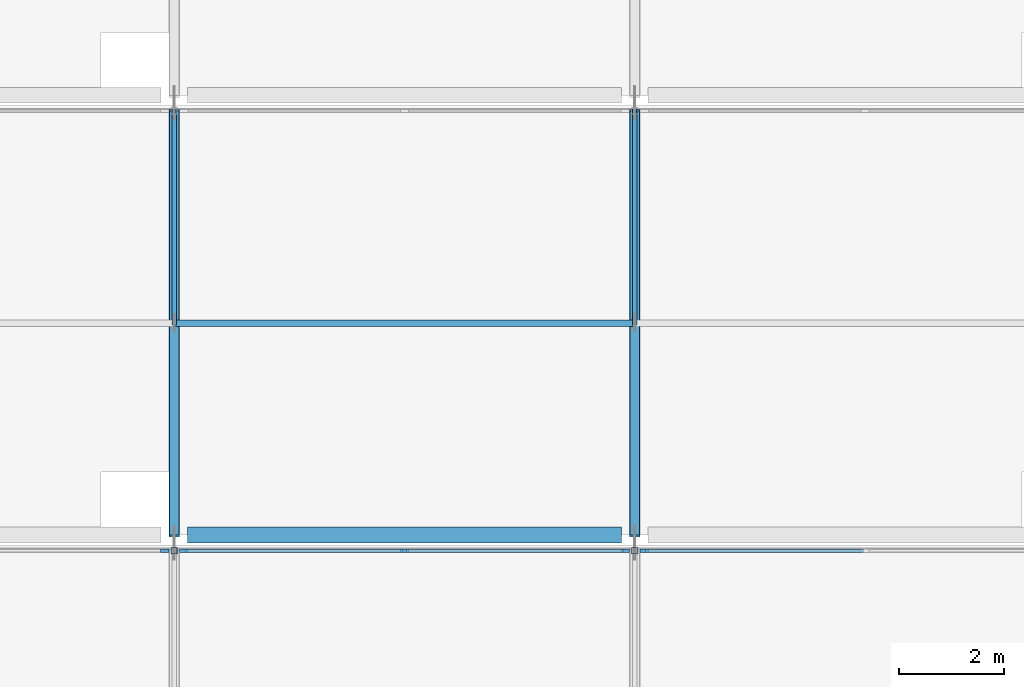
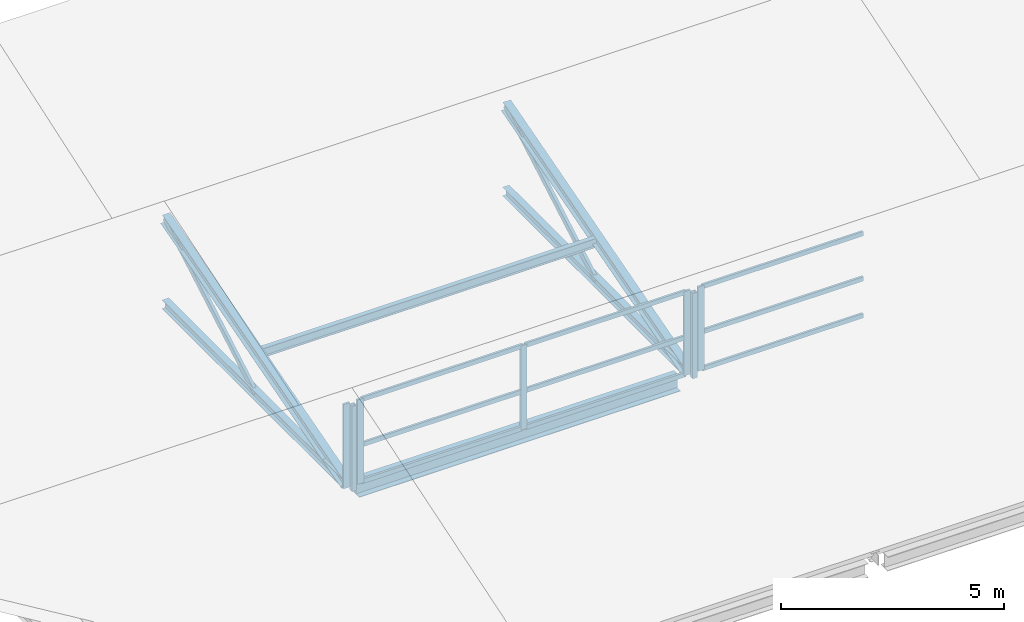
# One storey, part 10 of 40: 23 members, 1 beam, 3 elements without a shape of their own.
"""IFC4 building model written with IfcOpenShell, lengths in metres."""

import ifcopenshell
import ifcopenshell.guid

model = None  # the IFC model being written
_history = None  # IfcOwnerHistory: only IFC2X3 demands one
_inside = {}  # id of a spatial element -> (the spatial element, [elements in it])
_under = {}  # id of a project, library or spatial element -> (it, [spatial elements below it])
_declared = {}  # id of a project -> (the project, [libraries it declares])
_typed = {}  # id of a type object -> (the type object, [elements of that type])
_made_of = {}  # id of a material, layer set ... -> (it, [elements and type objects made of it])


def new_model(schema):
    """Start an empty IFC model of exactly this schema.

    Asked for "IFC4X3", IfcOpenShell would pick the latest addendum, in which some entities
    have other attributes; the version numbers below select the first issue.
    IFC2X3 requires an IfcOwnerHistory on every rooted entity: one is made here for all.
    """
    global model, _history
    if schema == "IFC4X3":
        model = ifcopenshell.file(schema_version=(4, 3, 0, 0))
    else:
        model = ifcopenshell.file(schema=schema)
    _inside.clear()
    _under.clear()
    _declared.clear()
    _typed.clear()
    _made_of.clear()
    _history = None
    if model.schema == "IFC2X3":
        org = make("IfcOrganization", Name="unknown")
        user = make(
            "IfcPersonAndOrganization",
            ThePerson=make("IfcPerson", FamilyName="unknown"),
            TheOrganization=org,
        )
        app = make(
            "IfcApplication",
            ApplicationDeveloper=org,
            Version="unknown",
            ApplicationFullName="unknown",
            ApplicationIdentifier="unknown",
        )
        _history = make(
            "IfcOwnerHistory",
            OwningUser=user,
            OwningApplication=app,
            ChangeAction="ADDED",
            CreationDate=0,
        )
    return model


def make(cls, **values):
    """One entity of the class cls with the attributes given. An attribute that is None is left unset."""
    return model.create_entity(
        cls, **{name: value for name, value in values.items() if value is not None}
    )


def rooted(cls, **values):
    """An entity with a GlobalId (a new one), such as an element, a storey or a relation."""
    return make(cls, GlobalId=ifcopenshell.guid.new(), OwnerHistory=_history, **values)


def si_unit(unit_type, name, prefix=None):
    """IfcSIUnit, for example si_unit("LENGTHUNIT", "METRE", prefix="MILLI")."""
    return make("IfcSIUnit", UnitType=unit_type, Prefix=prefix, Name=name)


def assignment(units):
    """IfcUnitAssignment: the units of a project."""
    return None if units is None else make("IfcUnitAssignment", Units=units)


def point(xyz):
    """IfcCartesianPoint."""
    return None if xyz is None else make("IfcCartesianPoint", Coordinates=xyz)


def direction(xyz):
    """IfcDirection."""
    return None if xyz is None else make("IfcDirection", DirectionRatios=xyz)


def frame(location, z_axis=None, x_axis=None):
    """IfcAxis2Placement3D, a coordinate frame: its origin and axes. An axis left out is left unset."""
    return make(
        "IfcAxis2Placement3D",
        Location=point(location),
        Axis=direction(z_axis),
        RefDirection=direction(x_axis),
    )


def frame_2d(location, x_axis=None):
    """IfcAxis2Placement2D, a coordinate frame in the plane: its origin and x axis."""
    return make(
        "IfcAxis2Placement2D", Location=point(location), RefDirection=direction(x_axis)
    )


def origin():
    """The frame at (0, 0, 0) with its axes left unset."""
    return frame((0.0, 0.0, 0.0))


def origin_2d():
    """The frame at (0, 0) in the plane with its x axis left unset."""
    return frame_2d((0.0, 0.0))


def place(relative_to, where):
    """IfcLocalPlacement: puts the frame where relative to a parent placement (None: the world)."""
    return make(
        "IfcLocalPlacement", PlacementRelTo=relative_to, RelativePlacement=where
    )


def context(
    kind, dimensions, precision=None, world=None, true_north=None, identifier=None
):
    """IfcGeometricRepresentationContext, for example the 3D "Model" context."""
    return make(
        "IfcGeometricRepresentationContext",
        ContextIdentifier=identifier,
        ContextType=kind,
        CoordinateSpaceDimension=dimensions,
        Precision=precision,
        WorldCoordinateSystem=world,
        TrueNorth=true_north,
    )


def subcontext(parent, identifier, kind, view, scale=None):
    """IfcGeometricRepresentationSubContext, for example "Body" below "Model"."""
    return make(
        "IfcGeometricRepresentationSubContext",
        ContextIdentifier=identifier,
        ContextType=kind,
        ParentContext=parent,
        TargetScale=scale,
        TargetView=view,
    )


def project(units=None, contexts=None):
    """IfcProject with its units and contexts."""
    return rooted(
        "IfcProject",
        Name="project",
        RepresentationContexts=contexts,
        UnitsInContext=assignment(units),
    )


def spatial(cls, under=None, at=None, **own):
    """A site, building, storey or space (cls), placed at a placement, below another one or the project."""
    s = rooted(cls, ObjectPlacement=at, **own)
    if under is not None:
        _under.setdefault(under.id(), (under, []))[1].append(s)
    return s


def profile(cls, at=None, kind="AREA", **sizes):
    """A parametric profile (cls). Its sizes go by their IFC names, for example OverallWidth=200.0."""
    return make(cls, ProfileType=kind, Position=at, **sizes)


def rectangle(**sizes):
    """IfcRectangleProfileDef."""
    return profile("IfcRectangleProfileDef", **sizes)


def hollow_rectangle(**sizes):
    """IfcRectangleHollowProfileDef."""
    return profile("IfcRectangleHollowProfileDef", **sizes)


def i_section(**sizes):
    """IfcIShapeProfileDef."""
    return profile("IfcIShapeProfileDef", **sizes)


def extrude(swept, where, along, depth):
    """IfcExtrudedAreaSolid: the profile swept, set in the frame where, extruded along a direction by depth."""
    return make(
        "IfcExtrudedAreaSolid",
        SweptArea=swept,
        Position=where,
        ExtrudedDirection=direction(along),
        Depth=depth,
    )


def shape(context_of_items, identifier, shape_type, items):
    """IfcShapeRepresentation: the items that make up one representation, for example the "Body"."""
    return make(
        "IfcShapeRepresentation",
        ContextOfItems=context_of_items,
        RepresentationIdentifier=identifier,
        RepresentationType=shape_type,
        Items=items,
    )


def material(Name=None, Category=None):
    """IfcMaterial."""
    return make("IfcMaterial", Name=Name, Category=Category)


def material_profile(
    of_material, cross_section, Name=None, Category=None, Priority=None
):
    """IfcMaterialProfile: a cross section and its material."""
    return make(
        "IfcMaterialProfile",
        Name=Name,
        Material=of_material,
        Profile=cross_section,
        Priority=Priority,
        Category=Category,
    )


def profile_set(profiles, Name=None, composite=None):
    """IfcMaterialProfileSet."""
    return make(
        "IfcMaterialProfileSet",
        Name=Name,
        MaterialProfiles=profiles,
        CompositeProfile=composite,
    )


def made_of(thing, what):
    """Note that an element or type object is made of a material, layer set ...; save() writes the relation."""
    if what is not None:
        _made_of.setdefault(what.id(), (what, []))[1].append(thing)
    return thing


def type_object(cls, material=None, **own):
    """A type object (cls), such as IfcWallType, which elements share."""
    return made_of(rooted(cls, **own), material)


def element(
    cls,
    number,
    at=None,
    inside=None,
    cuts=None,
    type_object=None,
    material=None,
    context=None,
    identifier="Body",
    shape_type=None,
    held_by="IfcProductDefinitionShape",
    body=None,
    shapes=None,
    **own,
):
    """One element of the class cls, such as IfcWall. Its Tag is "e" and its number.

    at: its placement. inside: the storey or other place that contains it. cuts: it is an
    opening in that element (IfcRelVoidsElement). A single representation is given by context,
    identifier, shape_type and body (its items); several are given by shapes. held_by: the class
    of the entity that holds the representations. save() writes the other relations.
    """
    e = rooted(cls, Tag="e%d" % number, ObjectPlacement=at, **own)
    if body is not None:
        shapes = [shape(context, identifier, shape_type, body)]
    if shapes is not None:
        e.Representation = make(held_by, Representations=shapes)
    if inside is not None:
        _inside.setdefault(inside.id(), (inside, []))[1].append(e)
    if cuts is not None:
        rooted(
            "IfcRelVoidsElement", RelatingBuildingElement=cuts, RelatedOpeningElement=e
        )
    if type_object is not None:
        _typed.setdefault(type_object.id(), (type_object, []))[1].append(e)
    return made_of(e, material)


def aggregate(whole, parts):
    """IfcRelAggregates: a whole, such as a stair, and the parts it consists of."""
    return rooted("IfcRelAggregates", RelatingObject=whole, RelatedObjects=parts)


def save(model, path):
    """Write the relations noted so far, then the file.

    IfcRelAggregates (storeys below a building ...), IfcRelContainedInSpatialStructure (elements
    in a storey), IfcRelDefinesByType, IfcRelAssociatesMaterial and IfcRelDeclares: one each for
    every whole, place, type object, material and project.
    """
    for whole, parts in _under.values():
        aggregate(whole, parts)
    for where, things in _inside.values():
        rooted(
            "IfcRelContainedInSpatialStructure",
            RelatedElements=things,
            RelatingStructure=where,
        )
    for kind, things in _typed.values():
        rooted("IfcRelDefinesByType", RelatedObjects=things, RelatingType=kind)
    for what, things in _made_of.values():
        rooted("IfcRelAssociatesMaterial", RelatedObjects=things, RelatingMaterial=what)
    for by, libraries in _declared.values():
        rooted("IfcRelDeclares", RelatingContext=by, RelatedDefinitions=libraries)
    model.write(path)


model = new_model("IFC4")

# Units and contexts
model_context = context("Model", 3, precision=1e-05, world=origin(), true_north=direction((0.0, 1.0)))
body_context = subcontext(model_context, "Body", "Model", "MODEL_VIEW")
ifc_project = project(units=[si_unit("LENGTHUNIT", "METRE"), si_unit("AREAUNIT", "SQUARE_METRE"), si_unit("VOLUMEUNIT", "CUBIC_METRE"), si_unit("PLANEANGLEUNIT", "RADIAN"), si_unit("MASSUNIT", "GRAM", prefix="KILO")], contexts=[model_context])

# Site, building, storey
site_placement = place(None, origin())
site = spatial("IfcSite", under=ifc_project, at=site_placement, CompositionType="ELEMENT")
building_placement = place(site_placement, origin())
building = spatial("IfcBuilding", under=site, at=building_placement, Name="Brinegate Botanical Conservatory", CompositionType="ELEMENT")
storey_placement = place(building_placement, frame((0.0, 0.0, 19.199951171875)))
storey = spatial("IfcBuildingStorey", under=building, at=storey_placement, Name="L05", CompositionType="ELEMENT", Elevation=19.199951171875)

# Beam
ifc_material_1 = material(Name="Structural steel Q355B / S355", Category="steel")
ifc_material_profile_1 = material_profile(ifc_material_1, i_section(OverallWidth=0.300048828125, OverallDepth=0.389892578125, WebThickness=0.010009765625, FlangeThickness=0.01611328125, at=origin_2d()), Name="HM 390x300x10x16")
ifc_profile_set_1 = profile_set([ifc_material_profile_1], Name="Structural steel Q355B / S355")
beam_type = type_object("IfcBeamType", Name="Beam_BM-S5", PredefinedType="BEAM", material=ifc_profile_set_1)
beam_placement = place(storey_placement, frame((86.25, 95.199951171875, -0.179931640625), z_axis=(1.0, 0.0, 0.0), x_axis=(0.0, 1.0, 0.0)))
element("IfcBeam", 1, at=beam_placement, inside=storey, type_object=beam_type, Name="Sawtooth valley girder BM-S5 B2.5", PredefinedType="BEAM", context=body_context, shape_type="SweptSolid", body=[
    extrude(i_section(OverallWidth=0.300048828125, OverallDepth=0.389892578125, WebThickness=0.010009765625, FlangeThickness=0.01611328125, at=origin_2d()), origin(), (0.0, 0.0, 1.0), 8.300048828125),
])

# Curtain wall, member
ifc_material_2 = material(Name="Thermally broken anodised aluminium AW-6063-T6", Category="aluminium")
curtain_wall_type = type_object("IfcCurtainWallType", Name="CW_CW-SAW", PredefinedType="USERDEFINED", material=ifc_material_2)
curtain_wall_1_placement = place(storey_placement, origin())
curtain_wall_1 = element("IfcCurtainWall", 2, at=curtain_wall_1_placement, inside=storey, type_object=curtain_wall_type, Name="Sawtooth north-light clerestory B1.4", ObjectType="FACTORY CURTAIN WALL", PredefinedType="USERDEFINED")
ifc_material_profile_2 = material_profile(ifc_material_2, rectangle(XDim=0.06005859375, YDim=0.159912109375, at=origin_2d()), Name="ALUM MULLION 60x160")
ifc_profile_set_2 = profile_set([ifc_material_profile_2], Name="Thermally broken anodised aluminium AW-6063-T6")
member_type_1 = type_object("IfcMemberType", Name="Member_ML-01", PredefinedType="MULLION", material=ifc_profile_set_2)
member_1_placement = place(storey_placement, frame((85.820068359375, 94.89990234375, 0.150146484375), z_axis=(0.0, 0.0, 1.0), x_axis=(0.0, 1.0, 0.0)))
member_1 = element("IfcMember", 3, at=member_1_placement, type_object=member_type_1, Name="CW-SAW mullion 3", PredefinedType="MULLION", context=body_context, shape_type="SweptSolid", body=[
    extrude(rectangle(XDim=0.06005859375, YDim=0.159912109375, at=origin_2d()), origin(), (0.0, 0.0, 1.0), 2.2998046875),
])
aggregate(curtain_wall_1, [member_1])

# Curtain wall, members
curtain_wall_2_placement = place(storey_placement, origin())
curtain_wall_2 = element("IfcCurtainWall", 4, at=curtain_wall_2_placement, inside=storey, type_object=curtain_wall_type, Name="Sawtooth north-light clerestory B1.5", ObjectType="FACTORY CURTAIN WALL", PredefinedType="USERDEFINED")
member_2_placement = place(storey_placement, frame((86.179931640625, 94.89990234375, 0.150146484375), z_axis=(0.0, 0.0, 1.0), x_axis=(0.0, 1.0, 0.0)))
member_2 = element("IfcMember", 5, at=member_2_placement, type_object=member_type_1, Name="CW-SAW mullion 1", PredefinedType="MULLION", context=body_context, shape_type="SweptSolid", body=[
    extrude(rectangle(XDim=0.06005859375, YDim=0.159912109375, at=origin_2d()), origin(), (0.0, 0.0, 1.0), 2.2998046875),
])
member_3_placement = place(storey_placement, frame((90.39990234375, 94.89990234375, 0.150146484375), z_axis=(0.0, 0.0, 1.0), x_axis=(0.0, 1.0, 0.0)))
member_3 = element("IfcMember", 6, at=member_3_placement, type_object=member_type_1, Name="CW-SAW mullion 2", PredefinedType="MULLION", context=body_context, shape_type="SweptSolid", body=[
    extrude(rectangle(XDim=0.06005859375, YDim=0.159912109375, at=origin_2d()), origin(), (0.0, 0.0, 1.0), 2.2998046875),
])
member_4_placement = place(storey_placement, frame((94.6201171875, 94.89990234375, 0.150146484375), z_axis=(0.0, 0.0, 1.0), x_axis=(0.0, 1.0, 0.0)))
member_4 = element("IfcMember", 7, at=member_4_placement, type_object=member_type_1, Name="CW-SAW mullion 3", PredefinedType="MULLION", context=body_context, shape_type="SweptSolid", body=[
    extrude(rectangle(XDim=0.06005859375, YDim=0.159912109375, at=origin_2d()), origin(), (0.0, 0.0, 1.0), 2.2998046875),
])

# Curtain wall, member
curtain_wall_3_placement = place(storey_placement, origin())
curtain_wall_3 = element("IfcCurtainWall", 8, at=curtain_wall_3_placement, inside=storey, type_object=curtain_wall_type, Name="Sawtooth north-light clerestory B1.6", ObjectType="FACTORY CURTAIN WALL", PredefinedType="USERDEFINED")
member_5_placement = place(storey_placement, frame((94.97998046875, 94.89990234375, 0.150146484375), z_axis=(0.0, 0.0, 1.0), x_axis=(0.0, 1.0, 0.0)))
member_5 = element("IfcMember", 9, at=member_5_placement, type_object=member_type_1, Name="CW-SAW mullion 1", PredefinedType="MULLION", context=body_context, shape_type="SweptSolid", body=[
    extrude(rectangle(XDim=0.06005859375, YDim=0.159912109375, at=origin_2d()), origin(), (0.0, 0.0, 1.0), 2.2998046875),
])

# Members
ifc_material_profile_3 = material_profile(ifc_material_1, hollow_rectangle(XDim=0.080078125, YDim=0.159912109375, WallThickness=0.006103515625, at=origin_2d()), Name="RHS 160x80x6")
ifc_profile_set_3 = profile_set([ifc_material_profile_3], Name="Structural steel Q355B / S355")
member_type_2 = type_object("IfcMemberType", Name="Member_SB-01", PredefinedType="BRACE", material=ifc_profile_set_3)
for number, where, z_axis, x_axis, name in (
    (10, (86.0, 99.25, 0.02001953125), (0.0, 0.866786044896, 0.49868021053), (-1.0, 0.0, 0.0), "Sawtooth web diagonal SB-01 B2.T5"),
    (11, (94.800048828125, 99.25, 0.02001953125), (0.0, 0.866786044896, 0.49868021053), (-1.0, 0.0, 0.0), "Sawtooth web diagonal SB-01 B2.T6"),
):
    element("IfcMember", number, at=place(storey_placement, frame(where, z_axis=z_axis, x_axis=x_axis)), inside=storey, type_object=member_type_2, Name=name, PredefinedType="BRACE", context=body_context, shape_type="SweptSolid", body=[
        extrude(hollow_rectangle(XDim=0.080078125, YDim=0.159912109375, WallThickness=0.006103515625, at=origin_2d()), origin(), (0.0, 0.0, 1.0), 4.672607421875),
    ])
ifc_material_profile_4 = material_profile(ifc_material_1, i_section(OverallWidth=0.199951171875, OverallDepth=0.2939453125, WebThickness=0.008056640625, FlangeThickness=0.011962890625, at=origin_2d()), Name="HM 294x200x8x12")
ifc_profile_set_4 = profile_set([ifc_material_profile_4], Name="Structural steel Q355B / S355")
member_type_3 = type_object("IfcMemberType", Name="Member_SC-01", PredefinedType="CHORD", material=ifc_profile_set_4)
for number, where, z_axis, x_axis, name in (
    (12, (86.0, 95.199951171875, 0.02001953125), (0.0, 0.961028334039, 0.276449889085), (-1.0, 0.0, 0.0), "Sawtooth rafter chord SC-01 B2.T5"),
    (13, (94.800048828125, 95.199951171875, 0.02001953125), (0.0, 0.961028334039, 0.276449889085), (-1.0, 0.0, 0.0), "Sawtooth rafter chord SC-01 B2.T6"),
):
    element("IfcMember", number, at=place(storey_placement, frame(where, z_axis=z_axis, x_axis=x_axis)), inside=storey, type_object=member_type_3, Name=name, PredefinedType="CHORD", context=body_context, shape_type="SweptSolid", body=[
        extrude(i_section(OverallWidth=0.199951171875, OverallDepth=0.2939453125, WebThickness=0.008056640625, FlangeThickness=0.011962890625, at=origin_2d()), origin(), (0.0, 0.0, 1.0), 8.428466796875),
    ])
ifc_material_profile_5 = material_profile(ifc_material_1, i_section(OverallWidth=0.175048828125, OverallDepth=0.243896484375, WebThickness=0.007080078125, FlangeThickness=0.010986328125, at=origin_2d()), Name="HM 244x175x7x11")
ifc_profile_set_5 = profile_set([ifc_material_profile_5], Name="Structural steel Q355B / S355")
member_type_4 = type_object("IfcMemberType", Name="Member_SC-02", PredefinedType="CHORD", material=ifc_profile_set_5)
for number, where, z_axis, x_axis, name in (
    (14, (86.0, 95.199951171875, 0.02001953125), (0.0, 1.0, 0.0), (-1.0, 0.0, 0.0), "Sawtooth bottom tie SC-02 B2.T5"),
    (15, (94.800048828125, 95.199951171875, 0.02001953125), (0.0, 1.0, 0.0), (-1.0, 0.0, 0.0), "Sawtooth bottom tie SC-02 B2.T6"),
):
    element("IfcMember", number, at=place(storey_placement, frame(where, z_axis=z_axis, x_axis=x_axis)), inside=storey, type_object=member_type_4, Name=name, PredefinedType="CHORD", context=body_context, shape_type="SweptSolid", body=[
        extrude(i_section(OverallWidth=0.175048828125, OverallDepth=0.243896484375, WebThickness=0.007080078125, FlangeThickness=0.010986328125, at=origin_2d()), origin(), (0.0, 0.0, 1.0), 8.10009765625),
    ])
ifc_material_profile_6 = material_profile(ifc_material_1, i_section(OverallWidth=0.125, OverallDepth=0.25, WebThickness=0.006103515625, FlangeThickness=0.009033203125, at=origin_2d()), Name="HN 250x125x6x9")
ifc_profile_set_6 = profile_set([ifc_material_profile_6], Name="Structural steel Q355B / S355")
member_type_5 = type_object("IfcMemberType", Name="Member_SPU-01", PredefinedType="PURLIN", material=ifc_profile_set_6)
member_6_placement = place(storey_placement, frame((86.0, 99.25, 1.094970703125), z_axis=(1.0, 0.0, 0.0), x_axis=(0.0, 1.0, 0.0)))
element("IfcMember", 16, at=member_6_placement, inside=storey, type_object=member_type_5, Name="Sawtooth roof purlin SPU-01 B2.5", PredefinedType="PURLIN", context=body_context, shape_type="SweptSolid", body=[
    extrude(i_section(OverallWidth=0.125, OverallDepth=0.25, WebThickness=0.006103515625, FlangeThickness=0.009033203125, at=origin_2d()), origin(), (0.0, 0.0, 1.0), 8.800048828125),
])
ifc_material_profile_7 = material_profile(ifc_material_1, hollow_rectangle(XDim=0.1201171875, YDim=0.1201171875, WallThickness=0.006103515625, at=origin_2d()), Name="SHS 120x120x6")
ifc_profile_set_7 = profile_set([ifc_material_profile_7], Name="Structural steel Q355B / S355")
member_type_6 = type_object("IfcMemberType", Name="Member_SS-01", PredefinedType="STRUT", material=ifc_profile_set_7)
for number, where, z_axis, x_axis, name in (
    (17, (86.0, 94.89990234375, 0.02001953125), (0.0, 0.0, 1.0), (1.0, 0.0, 0.0), "Sawtooth north clerestory post SS-01 B1.T5"),
    (18, (94.800048828125, 94.89990234375, 0.02001953125), (0.0, 0.0, 1.0), (1.0, 0.0, 0.0), "Sawtooth north clerestory post SS-01 B1.T6"),
):
    element("IfcMember", number, at=place(storey_placement, frame(where, z_axis=z_axis, x_axis=x_axis)), inside=storey, type_object=member_type_6, Name=name, PredefinedType="STRUT", context=body_context, shape_type="SweptSolid", body=[
        extrude(hollow_rectangle(XDim=0.1201171875, YDim=0.1201171875, WallThickness=0.006103515625, at=origin_2d()), origin(), (0.0, 0.0, 1.0), 2.330078125),
    ])

# Member
ifc_material_profile_8 = material_profile(ifc_material_2, rectangle(XDim=0.06005859375, YDim=0.1201171875, at=origin_2d()), Name="ALUM TRANSOM 60x120")
ifc_profile_set_8 = profile_set([ifc_material_profile_8], Name="Thermally broken anodised aluminium AW-6063-T6")
member_type_7 = type_object("IfcMemberType", Name="Member_TR-01", PredefinedType="USERDEFINED", material=ifc_profile_set_8)
member_7_placement = place(storey_placement, frame((86.2099609375, 94.89990234375, 0.179931640625), z_axis=(1.0, 0.0, 0.0), x_axis=(0.0, 1.0, 0.0)))
member_7 = element("IfcMember", 19, at=member_7_placement, type_object=member_type_7, Name="CW-SAW transom 1.1", ObjectType="TRANSOM", PredefinedType="USERDEFINED", context=body_context, shape_type="SweptSolid", body=[
    extrude(rectangle(XDim=0.06005859375, YDim=0.1201171875, at=origin_2d()), origin(), (0.0, 0.0, 1.0), 4.16015625),
])

member_8_placement = place(storey_placement, frame((86.2099609375, 94.89990234375, 1.18505859375), z_axis=(1.0, 0.0, 0.0), x_axis=(0.0, 1.0, 0.0)))
member_8 = element("IfcMember", 20, at=member_8_placement, type_object=member_type_7, Name="CW-SAW transom 1.2", ObjectType="TRANSOM", PredefinedType="USERDEFINED", context=body_context, shape_type="SweptSolid", body=[
    extrude(rectangle(XDim=0.06005859375, YDim=0.1201171875, at=origin_2d()), origin(), (0.0, 0.0, 1.0), 4.16015625),
])

member_9_placement = place(storey_placement, frame((86.2099609375, 94.89990234375, 2.420166015625), z_axis=(1.0, 0.0, 0.0), x_axis=(0.0, 1.0, 0.0)))
member_9 = element("IfcMember", 21, at=member_9_placement, type_object=member_type_7, Name="CW-SAW transom 1.3", ObjectType="TRANSOM", PredefinedType="USERDEFINED", context=body_context, shape_type="SweptSolid", body=[
    extrude(rectangle(XDim=0.06005859375, YDim=0.1201171875, at=origin_2d()), origin(), (0.0, 0.0, 1.0), 4.16015625),
])

member_10_placement = place(storey_placement, frame((90.429931640625, 94.89990234375, 0.179931640625), z_axis=(1.0, 0.0, 0.0), x_axis=(0.0, 1.0, 0.0)))
member_10 = element("IfcMember", 22, at=member_10_placement, type_object=member_type_7, Name="CW-SAW transom 2.1", ObjectType="TRANSOM", PredefinedType="USERDEFINED", context=body_context, shape_type="SweptSolid", body=[
    extrude(rectangle(XDim=0.06005859375, YDim=0.1201171875, at=origin_2d()), origin(), (0.0, 0.0, 1.0), 4.16015625),
])

member_11_placement = place(storey_placement, frame((90.429931640625, 94.89990234375, 1.18505859375), z_axis=(1.0, 0.0, 0.0), x_axis=(0.0, 1.0, 0.0)))
member_11 = element("IfcMember", 23, at=member_11_placement, type_object=member_type_7, Name="CW-SAW transom 2.2", ObjectType="TRANSOM", PredefinedType="USERDEFINED", context=body_context, shape_type="SweptSolid", body=[
    extrude(rectangle(XDim=0.06005859375, YDim=0.1201171875, at=origin_2d()), origin(), (0.0, 0.0, 1.0), 4.16015625),
])

member_12_placement = place(storey_placement, frame((90.429931640625, 94.89990234375, 2.420166015625), z_axis=(1.0, 0.0, 0.0), x_axis=(0.0, 1.0, 0.0)))
member_12 = element("IfcMember", 24, at=member_12_placement, type_object=member_type_7, Name="CW-SAW transom 2.3", ObjectType="TRANSOM", PredefinedType="USERDEFINED", context=body_context, shape_type="SweptSolid", body=[
    extrude(rectangle(XDim=0.06005859375, YDim=0.1201171875, at=origin_2d()), origin(), (0.0, 0.0, 1.0), 4.16015625),
])

aggregate(curtain_wall_2, [member_2, member_3, member_4, member_7, member_8, member_9, member_10, member_11, member_12])

member_13_placement = place(storey_placement, frame((95.010009765625, 94.89990234375, 0.179931640625), z_axis=(1.0, 0.0, 0.0), x_axis=(0.0, 1.0, 0.0)))
member_13 = element("IfcMember", 25, at=member_13_placement, type_object=member_type_7, Name="CW-SAW transom 1.1", ObjectType="TRANSOM", PredefinedType="USERDEFINED", context=body_context, shape_type="SweptSolid", body=[
    extrude(rectangle(XDim=0.06005859375, YDim=0.1201171875, at=origin_2d()), origin(), (0.0, 0.0, 1.0), 4.159912109375),
])

member_14_placement = place(storey_placement, frame((95.010009765625, 94.89990234375, 1.18505859375), z_axis=(1.0, 0.0, 0.0), x_axis=(0.0, 1.0, 0.0)))
member_14 = element("IfcMember", 26, at=member_14_placement, type_object=member_type_7, Name="CW-SAW transom 1.2", ObjectType="TRANSOM", PredefinedType="USERDEFINED", context=body_context, shape_type="SweptSolid", body=[
    extrude(rectangle(XDim=0.06005859375, YDim=0.1201171875, at=origin_2d()), origin(), (0.0, 0.0, 1.0), 4.159912109375),
])

member_15_placement = place(storey_placement, frame((95.010009765625, 94.89990234375, 2.420166015625), z_axis=(1.0, 0.0, 0.0), x_axis=(0.0, 1.0, 0.0)))
member_15 = element("IfcMember", 27, at=member_15_placement, type_object=member_type_7, Name="CW-SAW transom 1.3", ObjectType="TRANSOM", PredefinedType="USERDEFINED", context=body_context, shape_type="SweptSolid", body=[
    extrude(rectangle(XDim=0.06005859375, YDim=0.1201171875, at=origin_2d()), origin(), (0.0, 0.0, 1.0), 4.159912109375),
])

aggregate(curtain_wall_3, [member_5, member_13, member_14, member_15])

save(model, "model.ifc")
